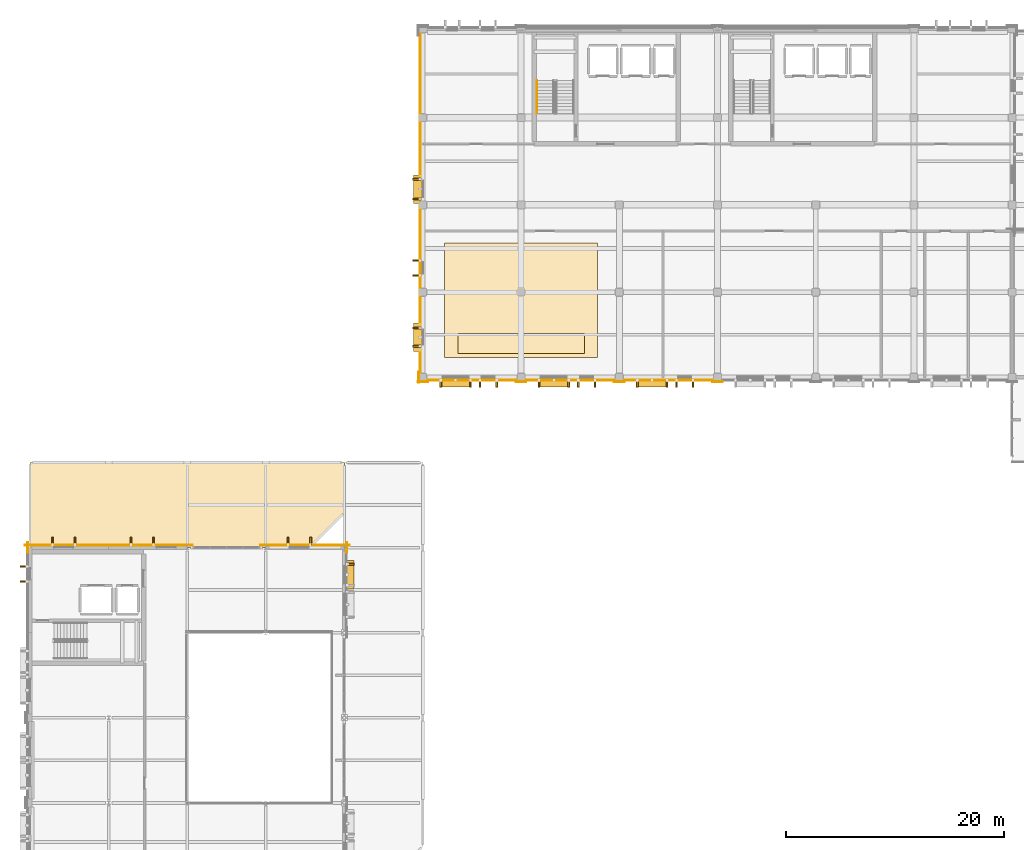
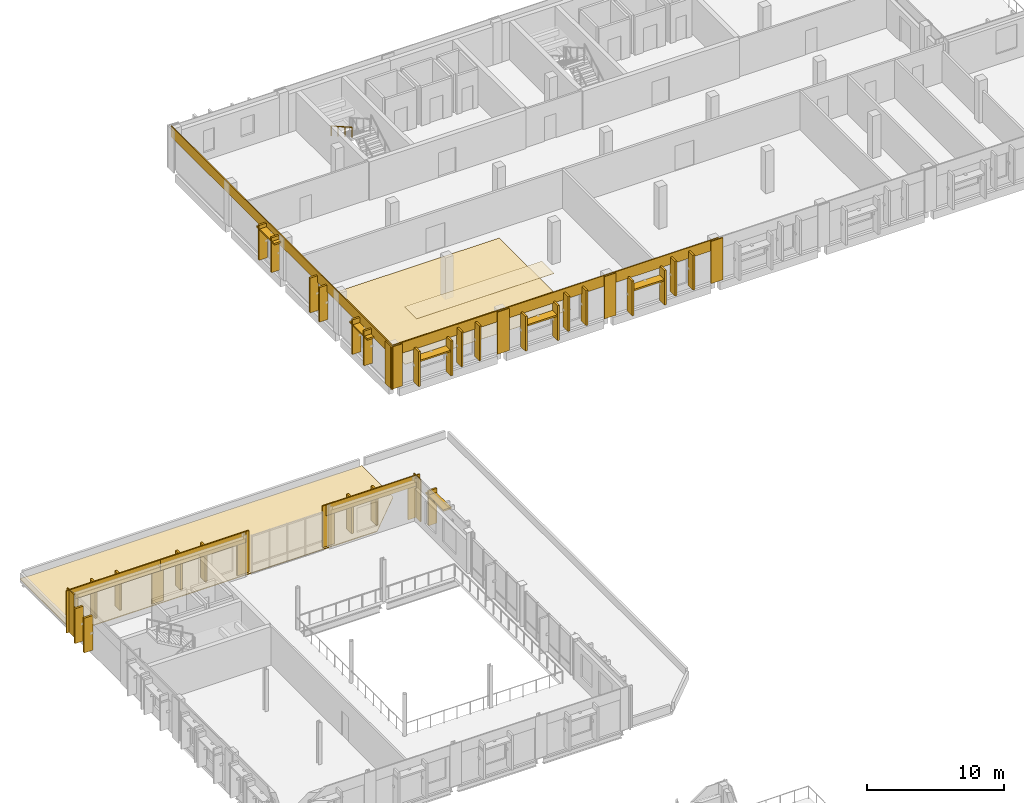
# One storey, part 67 of 73: 33 shading devices, 22 coverings, 1 railing.
"""IFC4 building model written with IfcOpenShell, lengths in metres."""

from ifc_helpers import new_model, si_unit, direction, frame, origin, origin_2d, place, context, subcontext, project, spatial, polyline, rectangle, circle, outline, extrude, material, layer, layer_set, type_object, element, save


model = new_model("IFC4")

# Units and contexts
model_context = context("Model", 3, precision=1e-05, world=origin(), true_north=direction((0.0, 1.0)))
body_context = subcontext(model_context, "Body", "Model", "MODEL_VIEW")
ifc_project = project(units=[si_unit("LENGTHUNIT", "METRE"), si_unit("AREAUNIT", "SQUARE_METRE"), si_unit("VOLUMEUNIT", "CUBIC_METRE"), si_unit("PLANEANGLEUNIT", "RADIAN"), si_unit("MASSUNIT", "GRAM", prefix="KILO")], contexts=[model_context])

# Site, building, storey
site_placement = place(None, origin())
site = spatial("IfcSite", under=ifc_project, at=site_placement, CompositionType="ELEMENT")
building_placement = place(site_placement, origin())
building = spatial("IfcBuilding", under=site, at=building_placement, Name="Vervanel Yard Central Library", CompositionType="ELEMENT")
storey_placement = place(building_placement, frame((0.0, 0.0, 12.780029296875)))
storey = spatial("IfcBuildingStorey", under=building, at=storey_placement, Name="L03", CompositionType="ELEMENT", Elevation=12.780029296875)

# Railing
ifc_material_1 = material(Name="Brushed stainless steel AISI 316", Category="steel")
railing_type = type_object("IfcRailingType", Name="Brushed Stainless Stair Handrail 900", PredefinedType="HANDRAIL", material=ifc_material_1)
railing_placement = place(storey_placement, frame((46.43994140625, 109.39990234375, 2.0400390625)))
element("IfcRailing", 1, at=railing_placement, inside=storey, type_object=railing_type, Name="L03 ST-01 stair handrail 2", PredefinedType="HANDRAIL", context=body_context, shape_type="SweptSolid", body=[
    extrude(circle(Radius=0.02392578125, at=origin_2d()), frame((0.0, 0.0, 0.8759765625), z_axis=(0.0, -0.870028259722, 0.493001853226), x_axis=(1.0, 0.0, 0.0)), (0.0, 0.0, 1.0), 3.4482421875),
    extrude(circle(Radius=0.02099609375, at=origin_2d()), origin(), (0.0, 0.0, 1.0), 0.851806640625),
    extrude(circle(Radius=0.02099609375, at=origin_2d()), frame((0.0, -1.0, 0.566650390625)), (0.0, 0.0, 1.0), 0.851806640625),
    extrude(circle(Radius=0.02099609375, at=origin_2d()), frame((0.0, -2.0, 1.13330078125)), (0.0, 0.0, 1.0), 0.851806640625),
    extrude(circle(Radius=0.02099609375, at=origin_2d()), frame((0.0, -3.0, 1.699951171875)), (0.0, 0.0, 1.0), 0.851806640625),
])

# Coverings
ifc_material_2 = material(Name="Precast concrete C45/55", Category="concrete")
ifc_layer_1 = layer(ifc_material_2, 0.0849609375, Category="concrete")
ifc_layer_set_1 = layer_set([ifc_layer_1], Name="Precast concrete C45/55")
covering_type_1 = type_object("IfcCoveringType", Name="Bush-Hammered Precast Architectural Cladding Panel", PredefinedType="CLADDING", material=ifc_layer_set_1)
covering_1_placement = place(storey_placement, frame((40.5, 81.949951171875, 2.800048828125), z_axis=(0.0, 0.0, 1.0), x_axis=(1.0, 0.0, 0.0)))
element("IfcCovering", 2, at=covering_1_placement, inside=storey, type_object=covering_type_1, Name="L03 Precast Concrete Spandrel Cornice EWALL-L03-0050", PredefinedType="CLADDING", context=body_context, shape_type="SweptSolid", body=[
    extrude(rectangle(XDim=9.449951171875, YDim=0.0849609375, at=origin_2d()), origin(), (0.0, 0.0, 1.0), 0.9599609375),
])
for number, where, z_axis, x_axis, name in (
    (3, (36.0, 81.8076171875, 0.0), (0.0, 0.0, 1.0), (1.0, 0.0, 0.0), "L03 Precast Concrete Pier Pilaster EWALL-L03-0050-A"),
    (4, (45.0, 81.8076171875, 0.0), (0.0, 0.0, 1.0), (1.0, 0.0, 0.0), "L03 Precast Concrete Pier Pilaster EWALL-L03-0050-B"),
):
    element("IfcCovering", number, at=place(storey_placement, frame(where, z_axis=z_axis, x_axis=x_axis)), inside=storey, type_object=covering_type_1, Name=name, PredefinedType="CLADDING", context=body_context, shape_type="SweptSolid", body=[
        extrude(rectangle(XDim=0.97998046875, YDim=0.0849609375, at=origin_2d()), origin(), (0.0, 0.0, 1.0), 3.760009765625),
    ])
covering_2_placement = place(storey_placement, frame((49.5, 81.949951171875, 2.800048828125), z_axis=(0.0, 0.0, 1.0), x_axis=(1.0, 0.0, 0.0)))
element("IfcCovering", 5, at=covering_2_placement, inside=storey, type_object=covering_type_1, Name="L03 Precast Concrete Spandrel Cornice EWALL-L03-0051", PredefinedType="CLADDING", context=body_context, shape_type="SweptSolid", body=[
    extrude(rectangle(XDim=9.449951171875, YDim=0.0849609375, at=origin_2d()), origin(), (0.0, 0.0, 1.0), 0.9599609375),
])
covering_3_placement = place(storey_placement, frame((54.0, 81.8076171875, 0.0), z_axis=(0.0, 0.0, 1.0), x_axis=(1.0, 0.0, 0.0)))
element("IfcCovering", 6, at=covering_3_placement, inside=storey, type_object=covering_type_1, Name="L03 Precast Concrete Pier Pilaster EWALL-L03-0051-B", PredefinedType="CLADDING", context=body_context, shape_type="SweptSolid", body=[
    extrude(rectangle(XDim=0.97998046875, YDim=0.0849609375, at=origin_2d()), origin(), (0.0, 0.0, 1.0), 3.760009765625),
])
covering_4_placement = place(storey_placement, frame((58.5, 81.949951171875, 2.800048828125), z_axis=(0.0, 0.0, 1.0), x_axis=(1.0, 0.0, 0.0)))
element("IfcCovering", 7, at=covering_4_placement, inside=storey, type_object=covering_type_1, Name="L03 Precast Concrete Spandrel Cornice EWALL-L03-0052", PredefinedType="CLADDING", context=body_context, shape_type="SweptSolid", body=[
    extrude(rectangle(XDim=9.449951171875, YDim=0.0849609375, at=origin_2d()), origin(), (0.0, 0.0, 1.0), 0.9599609375),
])
covering_5_placement = place(storey_placement, frame((63.0, 81.8076171875, 0.0), z_axis=(0.0, 0.0, 1.0), x_axis=(1.0, 0.0, 0.0)))
element("IfcCovering", 8, at=covering_5_placement, inside=storey, type_object=covering_type_1, Name="L03 Precast Concrete Pier Pilaster EWALL-L03-0052-B", PredefinedType="CLADDING", context=body_context, shape_type="SweptSolid", body=[
    extrude(rectangle(XDim=0.97998046875, YDim=0.0849609375, at=origin_2d()), origin(), (0.0, 0.0, 1.0), 3.760009765625),
])
covering_6_placement = place(storey_placement, frame((35.75, 98.10009765625, 2.800048828125), z_axis=(0.0, 0.0, 1.0), x_axis=(0.0, 1.0, 0.0)))
element("IfcCovering", 9, at=covering_6_placement, inside=storey, type_object=covering_type_1, Name="L03 Precast Concrete Spandrel Cornice EWALL-L03-0056", PredefinedType="CLADDING", context=body_context, shape_type="SweptSolid", body=[
    extrude(rectangle(XDim=32.25, YDim=0.0849609375, at=origin_2d()), origin(), (0.0, 0.0, 1.0), 0.9599609375),
])
for number, where, z_axis, x_axis, name in (
    (10, (35.607421875, 82.199951171875, 0.0), (0.0, 0.0, 1.0), (0.0, 1.0, 0.0), "L03 Precast Concrete Pier Pilaster EWALL-L03-0056-A"),
    (11, (-0.21240234375, 66.60009765625, 0.0), (0.0, 0.0, 1.0), (0.0, 1.0, 0.0), "L03 Precast Concrete Pier Pilaster EWALL-L03-0132-B"),
    (12, (29.0, 66.60009765625, 0.0), (0.0, 0.0, 1.0), (0.0, 1.0, 0.0), "L03 Precast Concrete Pier Pilaster EWALL-L03-0134-B"),
):
    element("IfcCovering", number, at=place(storey_placement, frame(where, z_axis=z_axis, x_axis=x_axis)), inside=storey, type_object=covering_type_1, Name=name, PredefinedType="CLADDING", context=body_context, shape_type="SweptSolid", body=[
        extrude(rectangle(XDim=0.97998046875, YDim=0.0849609375, at=origin_2d()), origin(), (0.0, 0.0, 1.0), 3.760009765625),
    ])
covering_7_placement = place(storey_placement, frame((3.60009765625, 66.81005859375, 2.800048828125), z_axis=(0.0, 0.0, 1.0), x_axis=(1.0, 0.0, 0.0)))
element("IfcCovering", 13, at=covering_7_placement, inside=storey, type_object=covering_type_1, Name="L03 Precast Concrete Spandrel Cornice EWALL-L03-0135", PredefinedType="CLADDING", context=body_context, shape_type="SweptSolid", body=[
    extrude(rectangle(XDim=7.64990234375, YDim=0.0849609375, at=origin_2d()), origin(), (0.0, 0.0, 1.0), 0.9599609375),
])
for number, where, z_axis, x_axis, name in (
    (14, (0.0, 66.8125, 0.0), (0.0, 0.0, 1.0), (1.0, 0.0, 0.0), "L03 Precast Concrete Pier Pilaster EWALL-L03-0135-A"),
    (15, (7.199951171875, 66.8125, 0.0), (0.0, 0.0, 1.0), (1.0, 0.0, 0.0), "L03 Precast Concrete Pier Pilaster EWALL-L03-0135-B"),
):
    element("IfcCovering", number, at=place(storey_placement, frame(where, z_axis=z_axis, x_axis=x_axis)), inside=storey, type_object=covering_type_1, Name=name, PredefinedType="CLADDING", context=body_context, shape_type="SweptSolid", body=[
        extrude(rectangle(XDim=0.97998046875, YDim=0.0849609375, at=origin_2d()), origin(), (0.0, 0.0, 1.0), 3.760009765625),
    ])
covering_8_placement = place(storey_placement, frame((10.800048828125, 66.81005859375, 2.800048828125), z_axis=(0.0, 0.0, 1.0), x_axis=(1.0, 0.0, 0.0)))
element("IfcCovering", 16, at=covering_8_placement, inside=storey, type_object=covering_type_1, Name="L03 Precast Concrete Spandrel Cornice EWALL-L03-0137", PredefinedType="CLADDING", context=body_context, shape_type="SweptSolid", body=[
    extrude(rectangle(XDim=7.64990234375, YDim=0.0849609375, at=origin_2d()), origin(), (0.0, 0.0, 1.0), 0.9599609375),
])
covering_9_placement = place(storey_placement, frame((14.39990234375, 66.8125, 0.0), z_axis=(0.0, 0.0, 1.0), x_axis=(1.0, 0.0, 0.0)))
element("IfcCovering", 17, at=covering_9_placement, inside=storey, type_object=covering_type_1, Name="L03 Precast Concrete Pier Pilaster EWALL-L03-0137-B", PredefinedType="CLADDING", context=body_context, shape_type="SweptSolid", body=[
    extrude(rectangle(XDim=0.97998046875, YDim=0.0849609375, at=origin_2d()), origin(), (0.0, 0.0, 1.0), 3.760009765625),
])
covering_10_placement = place(storey_placement, frame((25.199951171875, 66.81005859375, 2.800048828125), z_axis=(0.0, 0.0, 1.0), x_axis=(1.0, 0.0, 0.0)))
element("IfcCovering", 18, at=covering_10_placement, inside=storey, type_object=covering_type_1, Name="L03 Precast Concrete Spandrel Cornice EWALL-L03-0140", PredefinedType="CLADDING", context=body_context, shape_type="SweptSolid", body=[
    extrude(rectangle(XDim=7.64990234375, YDim=0.0849609375, at=origin_2d()), origin(), (0.0, 0.0, 1.0), 0.9599609375),
])
for number, where, z_axis, x_axis, name in (
    (19, (21.60009765625, 66.8125, 0.0), (0.0, 0.0, 1.0), (1.0, 0.0, 0.0), "L03 Precast Concrete Pier Pilaster EWALL-L03-0140-A"),
    (20, (28.800048828125, 66.8125, 0.0), (0.0, 0.0, 1.0), (1.0, 0.0, 0.0), "L03 Precast Concrete Pier Pilaster EWALL-L03-0140-B"),
):
    element("IfcCovering", number, at=place(storey_placement, frame(where, z_axis=z_axis, x_axis=x_axis)), inside=storey, type_object=covering_type_1, Name=name, PredefinedType="CLADDING", context=body_context, shape_type="SweptSolid", body=[
        extrude(rectangle(XDim=0.97998046875, YDim=0.0849609375, at=origin_2d()), origin(), (0.0, 0.0, 1.0), 3.760009765625),
    ])

# Shading devices
shading_device_type_1 = type_object("IfcShadingDeviceType", Name="Horizontal Precast Brise-Soleil Sunhood 2600x680x140", PredefinedType="JALOUSIE", material=ifc_material_2)
for number, where, z_axis, x_axis, name in (
    (21, (39.0, 81.659912109375, 1.97998046875), (0.0, 0.0, 1.0), (1.0, 0.0, 0.0), "L03 Precast Horizontal Sunhood 17"),
    (22, (48.0, 81.659912109375, 1.97998046875), (0.0, 0.0, 1.0), (1.0, 0.0, 0.0), "L03 Precast Horizontal Sunhood 18"),
    (23, (57.0, 81.659912109375, 1.97998046875), (0.0, 0.0, 1.0), (1.0, 0.0, 0.0), "L03 Precast Horizontal Sunhood 19"),
    (24, (35.47998046875, 85.875, 2.830078125), (0.0, 0.0, 1.0), (0.0, 1.0, 0.0), "L03 Precast Horizontal Sunhood 23"),
    (25, (35.47998046875, 99.449951171875, 3.080078125), (0.0, 0.0, 1.0), (0.0, 1.0, 0.0), "L03 Precast Horizontal Sunhood 24"),
    (26, (29.320068359375, 64.10009765625, 2.93017578125), (0.0, 0.0, 1.0), (0.0, 1.0, 0.0), "L03 Precast Horizontal Sunhood 82"),
):
    element("IfcShadingDevice", number, at=place(storey_placement, frame(where, z_axis=z_axis, x_axis=x_axis)), inside=storey, type_object=shading_device_type_1, Name=name, PredefinedType="JALOUSIE", context=body_context, shape_type="SweptSolid", body=[
        extrude(rectangle(XDim=2.60009765625, YDim=0.679931640625, at=origin_2d()), origin(), (0.0, 0.0, 1.0), 0.139892578125),
    ])

# Coverings
ifc_material_3 = material(Name="Polished river-stone terrazzo flooring", Category="masonry")
ifc_layer_2 = layer(ifc_material_3, 0.02490234375, Category="masonry")
ifc_layer_set_2 = layer_set([ifc_layer_2], Name="Polished river-stone terrazzo flooring")
covering_type_2 = type_object("IfcCoveringType", Name="Polished River-Stone Terrazzo Flooring 25", PredefinedType="FLOORING", material=ifc_layer_set_2)
covering_11_placement = place(storey_placement, origin())
element("IfcCovering", 27, at=covering_11_placement, inside=storey, type_object=covering_type_2, Name="L03 Terrazzo Flooring Bay 12", PredefinedType="FLOORING", context=body_context, shape_type="SweptSolid", body=[
    extrude(outline(polyline([(38.0, 84.0), (52.0, 84.0), (52.0, 94.5), (38.0, 94.5), (38.0, 84.0)])), origin(), (0.0, 0.0, 1.0), 0.02490234375),
])
ifc_material_4 = material(Name="Standing-seam dark zinc-coated metal roofing", Category="metal")
ifc_layer_3 = layer(ifc_material_4, 0.06494140625, Category="metal")
ifc_layer_set_3 = layer_set([ifc_layer_3], Name="Standing-seam dark zinc-coated metal roofing")
covering_type_3 = type_object("IfcCoveringType", Name="Standing-Seam Dark Zinc Roof Assembly", PredefinedType="ROOFING", material=ifc_layer_set_3)
covering_12_placement = place(storey_placement, origin())
element("IfcCovering", 28, at=covering_12_placement, inside=storey, type_object=covering_type_3, Name="L03 Roof Covering ROOF-L03-V2N", PredefinedType="ROOFING", context=body_context, shape_type="SweptSolid", body=[
    extrude(outline(polyline([(0.0, 66.60009765625), (25.60009765625, 66.60009765625), (28.800048828125, 69.800048828125), (28.800048828125, 74.39990234375), (0.0, 74.39990234375), (0.0, 66.60009765625)])), origin(), (0.0, 0.0, 1.0), 0.06494140625),
])
ifc_material_5 = material(Name="Perforated mineral-fibre acoustic ceiling", Category="gypsum")
ifc_layer_4 = layer(ifc_material_5, 0.034912109375, Category="gypsum")
ifc_layer_set_4 = layer_set([ifc_layer_4], Name="Perforated mineral-fibre acoustic ceiling")
covering_type_4 = type_object("IfcCoveringType", Name="Suspended Mineral Acoustic Ceiling 35", PredefinedType="CEILING", material=ifc_layer_set_4)
covering_13_placement = place(storey_placement, frame((0.0, 0.0, 3.385009765625)))
element("IfcCovering", 29, at=covering_13_placement, inside=storey, type_object=covering_type_4, Name="L03 Acoustic Ceiling Bay 12", PredefinedType="CEILING", context=body_context, shape_type="SweptSolid", body=[
    extrude(outline(polyline([(39.199951171875, 84.39990234375), (50.800048828125, 84.39990234375), (50.800048828125, 86.199951171875), (39.199951171875, 86.199951171875), (39.199951171875, 84.39990234375)])), origin(), (0.0, 0.0, 1.0), 0.034912109375),
])

# Shading devices
shading_device_type_2 = type_object("IfcShadingDeviceType", Name="Vertical Precast Solar Fin 160x720x3200", PredefinedType="JALOUSIE", material=ifc_material_2)
for number, where, z_axis, x_axis, name in (
    (30, (37.639892578125, 81.6298828125, -0.150146484375), (0.0, 0.0, 1.0), (1.0, 0.0, 0.0), "L03 Precast Solar Fin 137"),
    (31, (40.360107421875, 81.6298828125, -0.150146484375), (0.0, 0.0, 1.0), (1.0, 0.0, 0.0), "L03 Precast Solar Fin 138"),
    (32, (41.239990234375, 81.6298828125, 0.349853515625), (0.0, 0.0, 1.0), (1.0, 0.0, 0.0), "L03 Precast Solar Fin 139"),
    (33, (42.760009765625, 81.6298828125, 0.349853515625), (0.0, 0.0, 1.0), (1.0, 0.0, 0.0), "L03 Precast Solar Fin 140"),
    (34, (46.639892578125, 81.6298828125, -0.150146484375), (0.0, 0.0, 1.0), (1.0, 0.0, 0.0), "L03 Precast Solar Fin 141"),
    (35, (49.360107421875, 81.6298828125, -0.150146484375), (0.0, 0.0, 1.0), (1.0, 0.0, 0.0), "L03 Precast Solar Fin 142"),
    (36, (50.239990234375, 81.6298828125, 0.349853515625), (0.0, 0.0, 1.0), (1.0, 0.0, 0.0), "L03 Precast Solar Fin 143"),
    (37, (51.760009765625, 81.6298828125, 0.349853515625), (0.0, 0.0, 1.0), (1.0, 0.0, 0.0), "L03 Precast Solar Fin 144"),
    (38, (55.639892578125, 81.6298828125, -0.150146484375), (0.0, 0.0, 1.0), (1.0, 0.0, 0.0), "L03 Precast Solar Fin 145"),
    (39, (58.360107421875, 81.6298828125, -0.150146484375), (0.0, 0.0, 1.0), (1.0, 0.0, 0.0), "L03 Precast Solar Fin 146"),
    (40, (59.239990234375, 81.6298828125, 0.349853515625), (0.0, 0.0, 1.0), (1.0, 0.0, 0.0), "L03 Precast Solar Fin 147"),
    (41, (60.760009765625, 81.6298828125, 0.349853515625), (0.0, 0.0, 1.0), (1.0, 0.0, 0.0), "L03 Precast Solar Fin 148"),
    (42, (35.449951171875, 85.0400390625, 0.324951171875), (0.0, 0.0, 1.0), (0.0, 1.0, 0.0), "L03 Precast Solar Fin 161"),
    (43, (35.449951171875, 86.7099609375, 0.324951171875), (0.0, 0.0, 1.0), (0.0, 1.0, 0.0), "L03 Precast Solar Fin 162"),
    (44, (35.449951171875, 91.5400390625, 0.27490234375), (0.0, 0.0, 1.0), (0.0, 1.0, 0.0), "L03 Precast Solar Fin 163"),
    (45, (35.449951171875, 92.909912109375, 0.27490234375), (0.0, 0.0, 1.0), (0.0, 1.0, 0.0), "L03 Precast Solar Fin 164"),
    (46, (35.449951171875, 98.5400390625, 0.449951171875), (0.0, 0.0, 1.0), (0.0, 1.0, 0.0), "L03 Precast Solar Fin 165"),
    (47, (35.449951171875, 100.360107421875, 0.449951171875), (0.0, 0.0, 1.0), (0.0, 1.0, 0.0), "L03 Precast Solar Fin 166"),
    (48, (-0.570068359375, 63.489990234375, 0.4248046875), (0.0, 0.0, 1.0), (0.0, 1.0, 0.0), "L03 Precast Solar Fin 369"),
    (49, (-0.570068359375, 64.860107421875, 0.4248046875), (0.0, 0.0, 1.0), (0.0, 1.0, 0.0), "L03 Precast Solar Fin 370"),
    (50, (29.35009765625, 65.06005859375, 0.324951171875), (0.0, 0.0, 1.0), (0.0, 1.0, 0.0), "L03 Precast Solar Fin 380"),
    (51, (2.0400390625, 67.169921875, 0.4248046875), (0.0, 0.0, 1.0), (1.0, 0.0, 0.0), "L03 Precast Solar Fin 381"),
    (52, (4.110107421875, 67.169921875, 0.4248046875), (0.0, 0.0, 1.0), (1.0, 0.0, 0.0), "L03 Precast Solar Fin 382"),
    (53, (9.239990234375, 67.169921875, 0.4248046875), (0.0, 0.0, 1.0), (1.0, 0.0, 0.0), "L03 Precast Solar Fin 385"),
    (54, (11.31005859375, 67.169921875, 0.4248046875), (0.0, 0.0, 1.0), (1.0, 0.0, 0.0), "L03 Precast Solar Fin 386"),
    (55, (23.639892578125, 67.169921875, 0.4248046875), (0.0, 0.0, 1.0), (1.0, 0.0, 0.0), "L03 Precast Solar Fin 391"),
    (56, (25.7099609375, 67.169921875, 0.4248046875), (0.0, 0.0, 1.0), (1.0, 0.0, 0.0), "L03 Precast Solar Fin 392"),
):
    element("IfcShadingDevice", number, at=place(storey_placement, frame(where, z_axis=z_axis, x_axis=x_axis)), inside=storey, type_object=shading_device_type_2, Name=name, PredefinedType="JALOUSIE", context=body_context, shape_type="SweptSolid", body=[
        extrude(rectangle(XDim=0.159912109375, YDim=0.719970703125, at=origin_2d()), origin(), (0.0, 0.0, 1.0), 3.10009765625),
    ])

save(model, "model.ifc")
